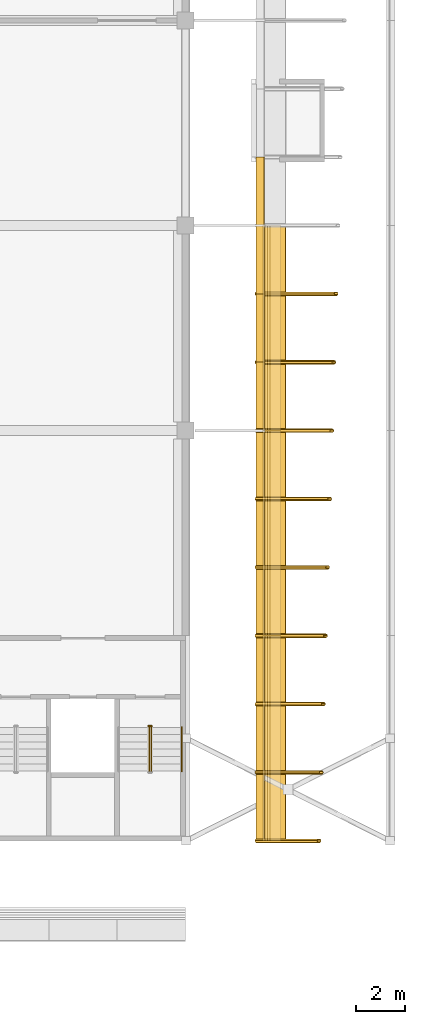
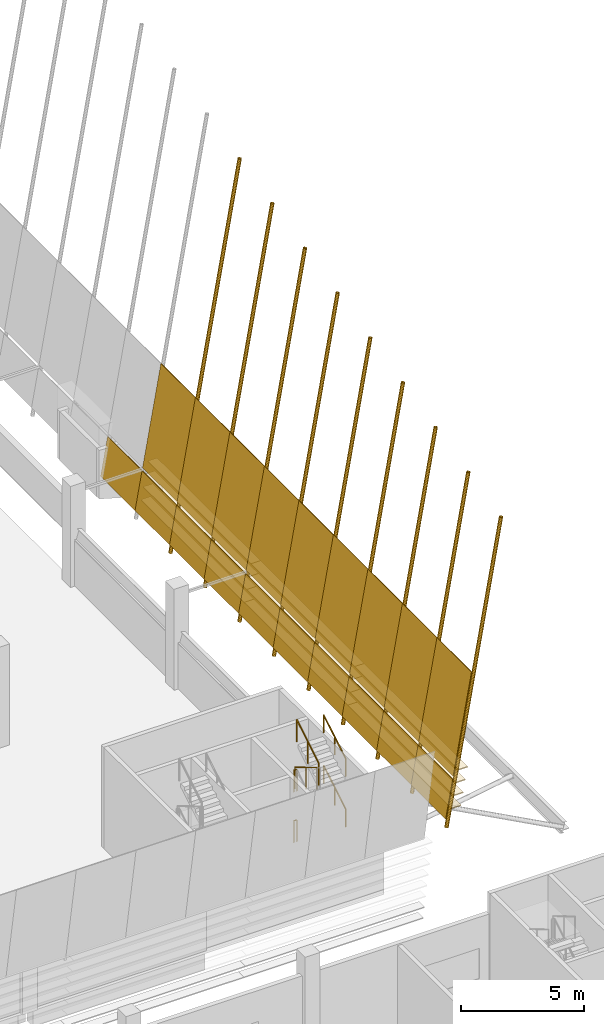
# One storey, part 78 of 82: 31 coverings, 9 shading devices, 6 railings.
"""IFC4 building model written with IfcOpenShell, lengths in metres."""

from ifc_helpers import new_model, si_unit, direction, frame, origin, origin_2d, place, context, subcontext, project, spatial, polyline, rectangle, circle, hollow_circle, outline, extrude, material, layer, layer_set, material_profile, profile_set, type_object, element, save


model = new_model("IFC4")

# Units and contexts
model_context = context("Model", 3, precision=1e-05, world=origin(), true_north=direction((0.0, 1.0)))
body_context = subcontext(model_context, "Body", "Model", "MODEL_VIEW")
ifc_project = project(units=[si_unit("LENGTHUNIT", "METRE"), si_unit("AREAUNIT", "SQUARE_METRE"), si_unit("VOLUMEUNIT", "CUBIC_METRE"), si_unit("PLANEANGLEUNIT", "RADIAN"), si_unit("MASSUNIT", "GRAM", prefix="KILO")], contexts=[model_context])

# Site, building, storey
site_placement = place(None, origin())
site = spatial("IfcSite", under=ifc_project, at=site_placement, CompositionType="ELEMENT")
building_placement = place(site_placement, origin())
building = spatial("IfcBuilding", under=site, at=building_placement, Name="Almond Square Museum", CompositionType="ELEMENT")
storey_placement = place(building_placement, frame((0.0, 0.0, 20.0)))
storey = spatial("IfcBuildingStorey", under=building, at=storey_placement, Name="L03", CompositionType="ELEMENT", Elevation=20.0)

# Coverings
ifc_material_1 = material(Name="Cedar timber louvre board", Category="wood")
ifc_material_profile_1 = material_profile(ifc_material_1, rectangle(XDim=0.449951171875, YDim=0.050048828125, at=origin_2d()))
ifc_profile_set_1 = profile_set([ifc_material_profile_1], Name="Cedar timber louvre board")
covering_type_1 = type_object("IfcCoveringType", Name="Louvre board 450 x 50", PredefinedType="CLADDING", material=ifc_profile_set_1)
covering_1_placement = place(storey_placement, frame((152.174560546875, 50.39990234375, 2.89990234375), z_axis=(0.0, 1.0, 0.0), x_axis=(-1.0, 0.0, 0.0)))
element("IfcCovering", 1, at=covering_1_placement, inside=storey, type_object=covering_type_1, Name="Louvre board E01.01", PredefinedType="CLADDING", context=body_context, shape_type="SweptSolid", body=[
    extrude(rectangle(XDim=0.449951171875, YDim=0.050048828125, at=origin_2d()), origin(), (0.0, 0.0, 1.0), 8.400146484375),
])
covering_2_placement = place(storey_placement, frame((152.174560546875, 58.800048828125, 2.89990234375), z_axis=(0.0, 1.0, 0.0), x_axis=(-1.0, 0.0, 0.0)))
element("IfcCovering", 2, at=covering_2_placement, inside=storey, type_object=covering_type_1, Name="Louvre board E01.02", PredefinedType="CLADDING", context=body_context, shape_type="SweptSolid", body=[
    extrude(rectangle(XDim=0.449951171875, YDim=0.050048828125, at=origin_2d()), origin(), (0.0, 0.0, 1.0), 8.39990234375),
])
for number, where, z_axis, x_axis, name in (
    (3, (152.174560546875, 67.199951171875, 2.89990234375), (0.0, 1.0, 0.0), (-1.0, 0.0, 0.0), "Louvre board E01.03"),
    (4, (152.2802734375, 50.39990234375, 3.5), (0.0, 1.0, 0.0), (-1.0, 0.0, 0.0), "Louvre board E02.01"),
):
    element("IfcCovering", number, at=place(storey_placement, frame(where, z_axis=z_axis, x_axis=x_axis)), inside=storey, type_object=covering_type_1, Name=name, PredefinedType="CLADDING", context=body_context, shape_type="SweptSolid", body=[
        extrude(rectangle(XDim=0.449951171875, YDim=0.050048828125, at=origin_2d()), origin(), (0.0, 0.0, 1.0), 8.400146484375),
    ])
covering_3_placement = place(storey_placement, frame((152.2802734375, 58.800048828125, 3.5), z_axis=(0.0, 1.0, 0.0), x_axis=(-1.0, 0.0, 0.0)))
element("IfcCovering", 5, at=covering_3_placement, inside=storey, type_object=covering_type_1, Name="Louvre board E02.02", PredefinedType="CLADDING", context=body_context, shape_type="SweptSolid", body=[
    extrude(rectangle(XDim=0.449951171875, YDim=0.050048828125, at=origin_2d()), origin(), (0.0, 0.0, 1.0), 8.39990234375),
])
for number, where, z_axis, x_axis, name in (
    (6, (152.2802734375, 67.199951171875, 3.5), (0.0, 1.0, 0.0), (-1.0, 0.0, 0.0), "Louvre board E02.03"),
    (7, (152.38623046875, 50.39990234375, 4.10009765625), (0.0, 1.0, 0.0), (-1.0, 0.0, 0.0), "Louvre board E03.01"),
):
    element("IfcCovering", number, at=place(storey_placement, frame(where, z_axis=z_axis, x_axis=x_axis)), inside=storey, type_object=covering_type_1, Name=name, PredefinedType="CLADDING", context=body_context, shape_type="SweptSolid", body=[
        extrude(rectangle(XDim=0.449951171875, YDim=0.050048828125, at=origin_2d()), origin(), (0.0, 0.0, 1.0), 8.400146484375),
    ])
covering_4_placement = place(storey_placement, frame((152.38623046875, 58.800048828125, 4.10009765625), z_axis=(0.0, 1.0, 0.0), x_axis=(-1.0, 0.0, 0.0)))
element("IfcCovering", 8, at=covering_4_placement, inside=storey, type_object=covering_type_1, Name="Louvre board E03.02", PredefinedType="CLADDING", context=body_context, shape_type="SweptSolid", body=[
    extrude(rectangle(XDim=0.449951171875, YDim=0.050048828125, at=origin_2d()), origin(), (0.0, 0.0, 1.0), 8.39990234375),
])
for number, where, z_axis, x_axis, name in (
    (9, (152.38623046875, 67.199951171875, 4.10009765625), (0.0, 1.0, 0.0), (-1.0, 0.0, 0.0), "Louvre board E03.03"),
    (10, (152.491943359375, 50.39990234375, 4.699951171875), (0.0, 1.0, 0.0), (-1.0, 0.0, 0.0), "Louvre board E04.01"),
):
    element("IfcCovering", number, at=place(storey_placement, frame(where, z_axis=z_axis, x_axis=x_axis)), inside=storey, type_object=covering_type_1, Name=name, PredefinedType="CLADDING", context=body_context, shape_type="SweptSolid", body=[
        extrude(rectangle(XDim=0.449951171875, YDim=0.050048828125, at=origin_2d()), origin(), (0.0, 0.0, 1.0), 8.400146484375),
    ])
covering_5_placement = place(storey_placement, frame((152.491943359375, 58.800048828125, 4.699951171875), z_axis=(0.0, 1.0, 0.0), x_axis=(-1.0, 0.0, 0.0)))
element("IfcCovering", 11, at=covering_5_placement, inside=storey, type_object=covering_type_1, Name="Louvre board E04.02", PredefinedType="CLADDING", context=body_context, shape_type="SweptSolid", body=[
    extrude(rectangle(XDim=0.449951171875, YDim=0.050048828125, at=origin_2d()), origin(), (0.0, 0.0, 1.0), 8.39990234375),
])
covering_6_placement = place(storey_placement, frame((152.491943359375, 67.199951171875, 4.699951171875), z_axis=(0.0, 1.0, 0.0), x_axis=(-1.0, 0.0, 0.0)))
element("IfcCovering", 12, at=covering_6_placement, inside=storey, type_object=covering_type_1, Name="Louvre board E04.03", PredefinedType="CLADDING", context=body_context, shape_type="SweptSolid", body=[
    extrude(rectangle(XDim=0.449951171875, YDim=0.050048828125, at=origin_2d()), origin(), (0.0, 0.0, 1.0), 8.400146484375),
])

# Shading devices
ifc_material_2 = material(Name="Structural steel S355", Category="steel")
ifc_material_profile_2 = material_profile(ifc_material_2, hollow_circle(Radius=0.084228515625, WallThickness=0.008056640625, at=origin_2d()))
ifc_profile_set_2 = profile_set([ifc_material_profile_2], Name="Structural steel S355")
shading_device_type = type_object("IfcShadingDeviceType", Name="Louvre post CHS 168.3 x 8", PredefinedType="USERDEFINED", material=ifc_profile_set_2)
shading_device_1_placement = place(storey_placement, frame((151.720947265625, 50.39990234375, 2.0654296875), z_axis=(0.173643292735, 0.0, 0.984808614345), x_axis=(0.0, 1.0, 0.0)))
element("IfcShadingDevice", 13, at=shading_device_1_placement, inside=storey, type_object=shading_device_type, Name="Louvre post E01", ObjectType="POST", PredefinedType="USERDEFINED", context=body_context, shape_type="SweptSolid", body=[
    extrude(hollow_circle(Radius=0.084228515625, WallThickness=0.008056640625, at=origin_2d()), origin(), (0.0, 0.0, 1.0), 14.7080078125),
])
shading_device_2_placement = place(storey_placement, frame((151.720947265625, 53.199951171875, 2.0654296875), z_axis=(0.173647938453, 0.0, 0.984807795192), x_axis=(0.0, 1.0, 0.0)))
element("IfcShadingDevice", 14, at=shading_device_2_placement, inside=storey, type_object=shading_device_type, Name="Louvre post E02", ObjectType="POST", PredefinedType="USERDEFINED", context=body_context, shape_type="SweptSolid", body=[
    extrude(hollow_circle(Radius=0.084228515625, WallThickness=0.008056640625, at=origin_2d()), origin(), (0.0, 0.0, 1.0), 15.205322265625),
])
shading_device_3_placement = place(storey_placement, frame((151.720947265625, 56.0, 2.0654296875), z_axis=(0.173649631067, 0.0, 0.984807496737), x_axis=(0.0, 1.0, 0.0)))
element("IfcShadingDevice", 15, at=shading_device_3_placement, inside=storey, type_object=shading_device_type, Name="Louvre post E03", ObjectType="POST", PredefinedType="USERDEFINED", context=body_context, shape_type="SweptSolid", body=[
    extrude(hollow_circle(Radius=0.084228515625, WallThickness=0.008056640625, at=origin_2d()), origin(), (0.0, 0.0, 1.0), 15.702880859375),
])
shading_device_4_placement = place(storey_placement, frame((151.720947265625, 58.800048828125, 2.0654296875), z_axis=(0.173651219713, 0.0, 0.984807216613), x_axis=(0.0, 1.0, 0.0)))
element("IfcShadingDevice", 16, at=shading_device_4_placement, inside=storey, type_object=shading_device_type, Name="Louvre post E04", ObjectType="POST", PredefinedType="USERDEFINED", context=body_context, shape_type="SweptSolid", body=[
    extrude(hollow_circle(Radius=0.084228515625, WallThickness=0.008056640625, at=origin_2d()), origin(), (0.0, 0.0, 1.0), 16.200439453125),
])
shading_device_5_placement = place(storey_placement, frame((151.720947265625, 61.60009765625, 2.0654296875), z_axis=(0.173652713684, 0.0, 0.984806953179), x_axis=(0.0, 1.0, 0.0)))
element("IfcShadingDevice", 17, at=shading_device_5_placement, inside=storey, type_object=shading_device_type, Name="Louvre post E05", ObjectType="POST", PredefinedType="USERDEFINED", context=body_context, shape_type="SweptSolid", body=[
    extrude(hollow_circle(Radius=0.084228515625, WallThickness=0.008056640625, at=origin_2d()), origin(), (0.0, 0.0, 1.0), 16.697998046875),
])
shading_device_6_placement = place(storey_placement, frame((151.720947265625, 64.39990234375, 2.0654296875), z_axis=(0.173654121199, 0.0, 0.984806704989), x_axis=(0.0, 1.0, 0.0)))
element("IfcShadingDevice", 18, at=shading_device_6_placement, inside=storey, type_object=shading_device_type, Name="Louvre post E06", ObjectType="POST", PredefinedType="USERDEFINED", context=body_context, shape_type="SweptSolid", body=[
    extrude(hollow_circle(Radius=0.084228515625, WallThickness=0.008056640625, at=origin_2d()), origin(), (0.0, 0.0, 1.0), 17.195556640625),
])
shading_device_7_placement = place(storey_placement, frame((151.720947265625, 67.199951171875, 2.0654296875), z_axis=(0.173642067011, 0.0, 0.984808830466), x_axis=(0.0, 1.0, 0.0)))
element("IfcShadingDevice", 19, at=shading_device_7_placement, inside=storey, type_object=shading_device_type, Name="Louvre post E07", ObjectType="POST", PredefinedType="USERDEFINED", context=body_context, shape_type="SweptSolid", body=[
    extrude(hollow_circle(Radius=0.084228515625, WallThickness=0.008056640625, at=origin_2d()), origin(), (0.0, 0.0, 1.0), 17.693115234375),
])
shading_device_8_placement = place(storey_placement, frame((151.720947265625, 70.0, 2.0654296875), z_axis=(0.173643688744, 0.0, 0.98480854452), x_axis=(0.0, 1.0, 0.0)))
element("IfcShadingDevice", 20, at=shading_device_8_placement, inside=storey, type_object=shading_device_type, Name="Louvre post E08", ObjectType="POST", PredefinedType="USERDEFINED", context=body_context, shape_type="SweptSolid", body=[
    extrude(hollow_circle(Radius=0.084228515625, WallThickness=0.008056640625, at=origin_2d()), origin(), (0.0, 0.0, 1.0), 18.190673828125),
])
shading_device_9_placement = place(storey_placement, frame((151.720947265625, 72.800048828125, 2.0654296875), z_axis=(0.173645224123, 0.0, 0.984808273797), x_axis=(0.0, 1.0, 0.0)))
element("IfcShadingDevice", 21, at=shading_device_9_placement, inside=storey, type_object=shading_device_type, Name="Louvre post E09", ObjectType="POST", PredefinedType="USERDEFINED", context=body_context, shape_type="SweptSolid", body=[
    extrude(hollow_circle(Radius=0.084228515625, WallThickness=0.008056640625, at=origin_2d()), origin(), (0.0, 0.0, 1.0), 18.688232421875),
])

# Coverings
ifc_material_3 = material(Name="Cedar timber sheathing panel", Category="wood")
ifc_layer = layer(ifc_material_3, 0.030029296875)
ifc_layer_set = layer_set([ifc_layer], Name="Cedar timber sheathing panel")
covering_type_2 = type_object("IfcCoveringType", Name="Louvre rain-screen backing panel 30", PredefinedType="CLADDING", material=ifc_layer_set)
covering_7_placement = place(storey_placement, frame((151.69287109375, 50.39990234375, 2.465576171875), z_axis=(0.984821183335, 0.0, -0.173571993292), x_axis=(0.0, 1.0, 0.0)))
element("IfcCovering", 22, at=covering_7_placement, inside=storey, type_object=covering_type_2, Name="Louvre rain-screen backing panel E01.05", PredefinedType="CLADDING", context=body_context, shape_type="SweptSolid", body=[
    extrude(outline(polyline([(0.0, 0.0), (2.800048828125, 0.0), (2.800048828125, 1.8932390820550984), (0.0, 1.8932390820550984), (0.0, 0.0)])), frame((0.0, 0.0, -0.01513671875)), (0.0, 0.0, 1.0), 0.030029296875),
])
covering_8_placement = place(storey_placement, frame((152.046142578125, 50.39990234375, 4.469970703125), z_axis=(0.984800486849, 0.0, -0.173689381088), x_axis=(0.0, 1.0, 0.0)))
element("IfcCovering", 23, at=covering_8_placement, inside=storey, type_object=covering_type_2, Name="Louvre rain-screen backing panel E01.06", PredefinedType="CLADDING", context=body_context, shape_type="SweptSolid", body=[
    extrude(outline(polyline([(0.0, 0.0), (2.800048828125, 0.0), (2.800048828125, 4.9351188253650715), (0.0, 4.9351188253650715), (0.0, 0.0)])), frame((0.0, 0.0, -0.01513671875)), (0.0, 0.0, 1.0), 0.030029296875),
])
covering_9_placement = place(storey_placement, frame((151.69287109375, 53.199951171875, 2.465576171875), z_axis=(0.984821183335, 0.0, -0.173571993292), x_axis=(0.0, 1.0, 0.0)))
element("IfcCovering", 24, at=covering_9_placement, inside=storey, type_object=covering_type_2, Name="Louvre rain-screen backing panel E02.05", PredefinedType="CLADDING", context=body_context, shape_type="SweptSolid", body=[
    extrude(outline(polyline([(0.0, 0.0), (2.800048828125, 0.0), (2.800048828125, 1.8932390820550984), (0.0, 1.8932390820550984), (0.0, 0.0)])), frame((0.0, 0.0, -0.01513671875)), (0.0, 0.0, 1.0), 0.030029296875),
])
covering_10_placement = place(storey_placement, frame((152.046142578125, 53.199951171875, 4.469970703125), z_axis=(0.984800486849, 0.0, -0.173689381088), x_axis=(0.0, 1.0, 0.0)))
element("IfcCovering", 25, at=covering_10_placement, inside=storey, type_object=covering_type_2, Name="Louvre rain-screen backing panel E02.06", PredefinedType="CLADDING", context=body_context, shape_type="SweptSolid", body=[
    extrude(outline(polyline([(0.0, 0.0), (2.800048828125, 0.0), (2.800048828125, 4.9351188253650715), (0.0, 4.9351188253650715), (0.0, 0.0)])), frame((0.0, 0.0, -0.01513671875)), (0.0, 0.0, 1.0), 0.030029296875),
])
covering_11_placement = place(storey_placement, frame((151.69287109375, 56.0, 2.465576171875), z_axis=(0.984821183335, 0.0, -0.173571993292), x_axis=(0.0, 1.0, 0.0)))
element("IfcCovering", 26, at=covering_11_placement, inside=storey, type_object=covering_type_2, Name="Louvre rain-screen backing panel E03.05", PredefinedType="CLADDING", context=body_context, shape_type="SweptSolid", body=[
    extrude(outline(polyline([(0.0, 0.0), (2.800048828125, 0.0), (2.800048828125, 1.8932390820550984), (0.0, 1.8932390820550984), (0.0, 0.0)])), frame((0.0, 0.0, -0.01513671875)), (0.0, 0.0, 1.0), 0.030029296875),
])
covering_12_placement = place(storey_placement, frame((152.046142578125, 56.0, 4.469970703125), z_axis=(0.984800486849, 0.0, -0.173689381088), x_axis=(0.0, 1.0, 0.0)))
element("IfcCovering", 27, at=covering_12_placement, inside=storey, type_object=covering_type_2, Name="Louvre rain-screen backing panel E03.06", PredefinedType="CLADDING", context=body_context, shape_type="SweptSolid", body=[
    extrude(outline(polyline([(0.0, 0.0), (2.800048828125, 0.0), (2.800048828125, 4.9351188253650715), (0.0, 4.9351188253650715), (0.0, 0.0)])), frame((0.0, 0.0, -0.01513671875)), (0.0, 0.0, 1.0), 0.030029296875),
])
covering_13_placement = place(storey_placement, frame((151.69287109375, 58.800048828125, 2.465576171875), z_axis=(0.984821183335, 0.0, -0.173571993292), x_axis=(0.0, 1.0, 0.0)))
element("IfcCovering", 28, at=covering_13_placement, inside=storey, type_object=covering_type_2, Name="Louvre rain-screen backing panel E04.05", PredefinedType="CLADDING", context=body_context, shape_type="SweptSolid", body=[
    extrude(outline(polyline([(0.0, 0.0), (2.800048828125, 0.0), (2.800048828125, 1.8932390820550984), (0.0, 1.8932390820550984), (0.0, 0.0)])), frame((0.0, 0.0, -0.01513671875)), (0.0, 0.0, 1.0), 0.030029296875),
])
covering_14_placement = place(storey_placement, frame((152.046142578125, 58.800048828125, 4.469970703125), z_axis=(0.984800486849, 0.0, -0.173689381088), x_axis=(0.0, 1.0, 0.0)))
element("IfcCovering", 29, at=covering_14_placement, inside=storey, type_object=covering_type_2, Name="Louvre rain-screen backing panel E04.06", PredefinedType="CLADDING", context=body_context, shape_type="SweptSolid", body=[
    extrude(outline(polyline([(0.0, 0.0), (2.800048828125, 0.0), (2.800048828125, 4.9351188253650715), (0.0, 4.9351188253650715), (0.0, 0.0)])), frame((0.0, 0.0, -0.01513671875)), (0.0, 0.0, 1.0), 0.030029296875),
])
covering_15_placement = place(storey_placement, frame((151.69287109375, 61.60009765625, 2.465576171875), z_axis=(0.984821183335, 0.0, -0.173571993292), x_axis=(0.0, 1.0, 0.0)))
element("IfcCovering", 30, at=covering_15_placement, inside=storey, type_object=covering_type_2, Name="Louvre rain-screen backing panel E05.05", PredefinedType="CLADDING", context=body_context, shape_type="SweptSolid", body=[
    extrude(outline(polyline([(0.0, 0.0), (2.7998046875, 0.0), (2.7998046875, 1.8932390820550982), (0.0, 1.8932390820550982), (0.0, 0.0)])), frame((0.0, 0.0, -0.01513671875)), (0.0, 0.0, 1.0), 0.030029296875),
])
covering_16_placement = place(storey_placement, frame((152.046142578125, 61.60009765625, 4.469970703125), z_axis=(0.984800486849, 0.0, -0.173689381088), x_axis=(0.0, 1.0, 0.0)))
element("IfcCovering", 31, at=covering_16_placement, inside=storey, type_object=covering_type_2, Name="Louvre rain-screen backing panel E05.06", PredefinedType="CLADDING", context=body_context, shape_type="SweptSolid", body=[
    extrude(outline(polyline([(0.0, 0.0), (2.7998046875, 0.0), (2.7998046875, 4.9351188253650715), (0.0, 4.9351188253650715), (0.0, 0.0)])), frame((0.0, 0.0, -0.01513671875)), (0.0, 0.0, 1.0), 0.030029296875),
])
covering_17_placement = place(storey_placement, frame((151.69287109375, 64.39990234375, 2.465576171875), z_axis=(0.984821183335, 0.0, -0.173571993292), x_axis=(0.0, 1.0, 0.0)))
element("IfcCovering", 32, at=covering_17_placement, inside=storey, type_object=covering_type_2, Name="Louvre rain-screen backing panel E06.05", PredefinedType="CLADDING", context=body_context, shape_type="SweptSolid", body=[
    extrude(outline(polyline([(0.0, 0.0), (2.800048828125, 0.0), (2.800048828125, 1.8932390820550984), (0.0, 1.8932390820550984), (0.0, 0.0)])), frame((0.0, 0.0, -0.01513671875)), (0.0, 0.0, 1.0), 0.030029296875),
])
covering_18_placement = place(storey_placement, frame((152.046142578125, 64.39990234375, 4.469970703125), z_axis=(0.984800486849, 0.0, -0.173689381088), x_axis=(0.0, 1.0, 0.0)))
element("IfcCovering", 33, at=covering_18_placement, inside=storey, type_object=covering_type_2, Name="Louvre rain-screen backing panel E06.06", PredefinedType="CLADDING", context=body_context, shape_type="SweptSolid", body=[
    extrude(outline(polyline([(0.0, 0.0), (2.800048828125, 0.0), (2.800048828125, 4.9351188253650715), (0.0, 4.9351188253650715), (0.0, 0.0)])), frame((0.0, 0.0, -0.01513671875)), (0.0, 0.0, 1.0), 0.030029296875),
])
covering_19_placement = place(storey_placement, frame((151.69287109375, 67.199951171875, 2.465576171875), z_axis=(0.984821183335, 0.0, -0.173571993292), x_axis=(0.0, 1.0, 0.0)))
element("IfcCovering", 34, at=covering_19_placement, inside=storey, type_object=covering_type_2, Name="Louvre rain-screen backing panel E07.05", PredefinedType="CLADDING", context=body_context, shape_type="SweptSolid", body=[
    extrude(outline(polyline([(0.0, 0.0), (2.800048828125, 0.0), (2.800048828125, 1.8932390820550984), (0.0, 1.8932390820550984), (0.0, 0.0)])), frame((0.0, 0.0, -0.01513671875)), (0.0, 0.0, 1.0), 0.030029296875),
])
covering_20_placement = place(storey_placement, frame((152.046142578125, 67.199951171875, 4.469970703125), z_axis=(0.984800486849, 0.0, -0.173689381088), x_axis=(0.0, 1.0, 0.0)))
element("IfcCovering", 35, at=covering_20_placement, inside=storey, type_object=covering_type_2, Name="Louvre rain-screen backing panel E07.06", PredefinedType="CLADDING", context=body_context, shape_type="SweptSolid", body=[
    extrude(outline(polyline([(0.0, 0.0), (2.800048828125, 0.0), (2.800048828125, 4.9351188253650715), (0.0, 4.9351188253650715), (0.0, 0.0)])), frame((0.0, 0.0, -0.01513671875)), (0.0, 0.0, 1.0), 0.030029296875),
])
covering_21_placement = place(storey_placement, frame((151.69287109375, 70.0, 2.465576171875), z_axis=(0.984821183335, 0.0, -0.173571993292), x_axis=(0.0, 1.0, 0.0)))
element("IfcCovering", 36, at=covering_21_placement, inside=storey, type_object=covering_type_2, Name="Louvre rain-screen backing panel E08.05", PredefinedType="CLADDING", context=body_context, shape_type="SweptSolid", body=[
    extrude(outline(polyline([(0.0, 0.0), (2.800048828125, 0.0), (2.800048828125, 1.8932390820550984), (0.0, 1.8932390820550984), (0.0, 0.0)])), frame((0.0, 0.0, -0.01513671875)), (0.0, 0.0, 1.0), 0.030029296875),
])
covering_22_placement = place(storey_placement, frame((152.046142578125, 70.0, 4.469970703125), z_axis=(0.984800486849, 0.0, -0.173689381088), x_axis=(0.0, 1.0, 0.0)))
element("IfcCovering", 37, at=covering_22_placement, inside=storey, type_object=covering_type_2, Name="Louvre rain-screen backing panel E08.06", PredefinedType="CLADDING", context=body_context, shape_type="SweptSolid", body=[
    extrude(outline(polyline([(0.0, 0.0), (2.800048828125, 0.0), (2.800048828125, 4.9351188253650715), (0.0, 4.9351188253650715), (0.0, 0.0)])), frame((0.0, 0.0, -0.01513671875)), (0.0, 0.0, 1.0), 0.030029296875),
])
covering_23_placement = place(storey_placement, frame((151.69287109375, 72.800048828125, 2.465576171875), z_axis=(0.984821183335, 0.0, -0.173571993292), x_axis=(0.0, 1.0, 0.0)))
element("IfcCovering", 38, at=covering_23_placement, inside=storey, type_object=covering_type_2, Name="Louvre rain-screen backing panel E09.05", PredefinedType="CLADDING", context=body_context, shape_type="SweptSolid", body=[
    extrude(outline(polyline([(0.0, 0.0), (2.800048828125, 0.0), (2.800048828125, 1.8932390820550984), (0.0, 1.8932390820550984), (0.0, 0.0)])), frame((0.0, 0.0, -0.01513671875)), (0.0, 0.0, 1.0), 0.030029296875),
])
covering_24_placement = place(storey_placement, frame((152.046142578125, 72.800048828125, 4.469970703125), z_axis=(0.984800486849, 0.0, -0.173689381088), x_axis=(0.0, 1.0, 0.0)))
element("IfcCovering", 39, at=covering_24_placement, inside=storey, type_object=covering_type_2, Name="Louvre rain-screen backing panel E09.06", PredefinedType="CLADDING", context=body_context, shape_type="SweptSolid", body=[
    extrude(outline(polyline([(0.0, 0.0), (2.800048828125, 0.0), (2.800048828125, 4.9351188253650715), (0.0, 4.9351188253650715), (0.0, 0.0)])), frame((0.0, 0.0, -0.01513671875)), (0.0, 0.0, 1.0), 0.030029296875),
])
covering_25_placement = place(storey_placement, frame((151.69287109375, 75.60009765625, 2.465576171875), z_axis=(0.984821183335, 0.0, -0.173571993292), x_axis=(0.0, 1.0, 0.0)))
element("IfcCovering", 40, at=covering_25_placement, inside=storey, type_object=covering_type_2, Name="Louvre rain-screen backing panel E10.05", PredefinedType="CLADDING", context=body_context, shape_type="SweptSolid", body=[
    extrude(outline(polyline([(0.0, 0.0), (2.7998046875, 0.0), (2.7998046875, 1.8932390820550982), (0.0, 1.8932390820550982), (0.0, 0.0)])), frame((0.0, 0.0, -0.01513671875)), (0.0, 0.0, 1.0), 0.030029296875),
])

# Railings
ifc_material_4 = material(Name="Stainless steel and laminated glass", Category="steel")
railing_type_1 = type_object("IfcRailingType", Name="Stair guard 1100 steel and glass", PredefinedType="GUARDRAIL", material=ifc_material_4)
railing_1_placement = place(storey_placement, frame((147.280029296875, 55.10009765625, 2.5)))
element("IfcRailing", 41, at=railing_1_placement, inside=storey, type_object=railing_type_1, Name="L03 ST-04 stair guard 4", PredefinedType="GUARDRAIL", context=body_context, shape_type="SweptSolid", body=[
    extrude(circle(Radius=0.02392578125, at=origin_2d()), frame((0.0, 0.0, 1.076171875), z_axis=(1.0, 0.0, 0.0), x_axis=(0.0, 1.0, 0.0)), (0.0, 0.0, 1.0), 0.139892578125),
    extrude(circle(Radius=0.02099609375, at=origin_2d()), origin(), (0.0, 0.0, 1.0), 1.052001953125),
    extrude(circle(Radius=0.02099609375, at=origin_2d()), frame((0.139892578125, 0.0, 0.0)), (0.0, 0.0, 1.0), 1.052001953125),
])
railing_2_placement = place(storey_placement, frame((147.31005859375, 55.050048828125, 2.678466796875)))
element("IfcRailing", 42, at=railing_2_placement, inside=storey, type_object=railing_type_1, Name="L03 ST-04 stair guard 5", PredefinedType="GUARDRAIL", context=body_context, shape_type="SweptSolid", body=[
    extrude(circle(Radius=0.02392578125, at=origin_2d()), frame((0.0, 0.0, 1.076171875), z_axis=(0.0, -0.859277029364, 0.511510495305), x_axis=(1.0, 0.0, 0.0)), (0.0, 0.0, 1.0), 2.0947265625),
    extrude(circle(Radius=0.02099609375, at=origin_2d()), origin(), (0.0, 0.0, 1.0), 1.052001953125),
    extrude(circle(Radius=0.02099609375, at=origin_2d()), frame((0.0, -0.89990234375, 0.53564453125)), (0.0, 0.0, 1.0), 1.052001953125),
    extrude(circle(Radius=0.02099609375, at=origin_2d()), frame((0.0, -1.800048828125, 1.071533203125)), (0.0, 0.0, 1.0), 1.052001953125),
])
railing_3_placement = place(storey_placement, frame((147.389892578125, 53.25, 3.928466796875)))
element("IfcRailing", 43, at=railing_3_placement, inside=storey, type_object=railing_type_1, Name="L03 ST-04 stair guard 7", PredefinedType="GUARDRAIL", context=body_context, shape_type="SweptSolid", body=[
    extrude(circle(Radius=0.02392578125, at=origin_2d()), frame((0.0, 0.0, 1.076171875), z_axis=(0.0, 0.859277029364, 0.511510495305), x_axis=(-1.0, 0.0, 0.0)), (0.0, 0.0, 1.0), 2.0947265625),
    extrude(circle(Radius=0.02099609375, at=origin_2d()), origin(), (0.0, 0.0, 1.0), 1.052001953125),
    extrude(circle(Radius=0.02099609375, at=origin_2d()), frame((0.0, 0.89990234375, 0.53564453125)), (0.0, 0.0, 1.0), 1.052001953125),
    extrude(circle(Radius=0.02099609375, at=origin_2d()), frame((0.0, 1.800048828125, 1.071533203125)), (0.0, 0.0, 1.0), 1.052001953125),
])
railing_4_placement = place(storey_placement, frame((147.280029296875, 55.10009765625, 0.0)))
element("IfcRailing", 44, at=railing_4_placement, inside=storey, type_object=railing_type_1, Name="L03 ST-04 stair guard 8", PredefinedType="GUARDRAIL", context=body_context, shape_type="SweptSolid", body=[
    extrude(circle(Radius=0.02392578125, at=origin_2d()), frame((0.0, 0.0, 1.076171875), z_axis=(1.0, 0.0, 0.0), x_axis=(0.0, 1.0, 0.0)), (0.0, 0.0, 1.0), 0.139892578125),
    extrude(circle(Radius=0.02099609375, at=origin_2d()), origin(), (0.0, 0.0, 1.0), 1.052001953125),
    extrude(circle(Radius=0.02099609375, at=origin_2d()), frame((0.139892578125, 0.0, 0.0)), (0.0, 0.0, 1.0), 1.052001953125),
])
ifc_material_5 = material(Name="Stainless steel", Category="steel")
railing_type_2 = type_object("IfcRailingType", Name="Stair handrail 900 steel", PredefinedType="HANDRAIL", material=ifc_material_5)
for number, where, name in (
    (45, (148.64501953125, 53.25, 1.428466796875), "L03 ST-04 stair handrail 2"),
    (46, (148.64501953125, 53.25, 3.928466796875), "L03 ST-04 stair handrail 4"),
):
    element("IfcRailing", number, at=place(storey_placement, frame(where)), inside=storey, type_object=railing_type_2, Name=name, PredefinedType="HANDRAIL", context=body_context, shape_type="SweptSolid", body=[
        extrude(circle(Radius=0.02392578125, at=origin_2d()), frame((0.0, 0.0, 0.8759765625), z_axis=(0.0, 0.859277029364, 0.511510495305), x_axis=(-1.0, 0.0, 0.0)), (0.0, 0.0, 1.0), 2.0947265625),
        extrude(circle(Radius=0.02099609375, at=origin_2d()), origin(), (0.0, 0.0, 1.0), 0.851806640625),
        extrude(circle(Radius=0.02099609375, at=origin_2d()), frame((0.0, 0.89990234375, 0.53564453125)), (0.0, 0.0, 1.0), 0.851806640625),
        extrude(circle(Radius=0.02099609375, at=origin_2d()), frame((0.0, 1.800048828125, 1.071533203125)), (0.0, 0.0, 1.0), 0.851806640625),
    ])

save(model, "model.ifc")
